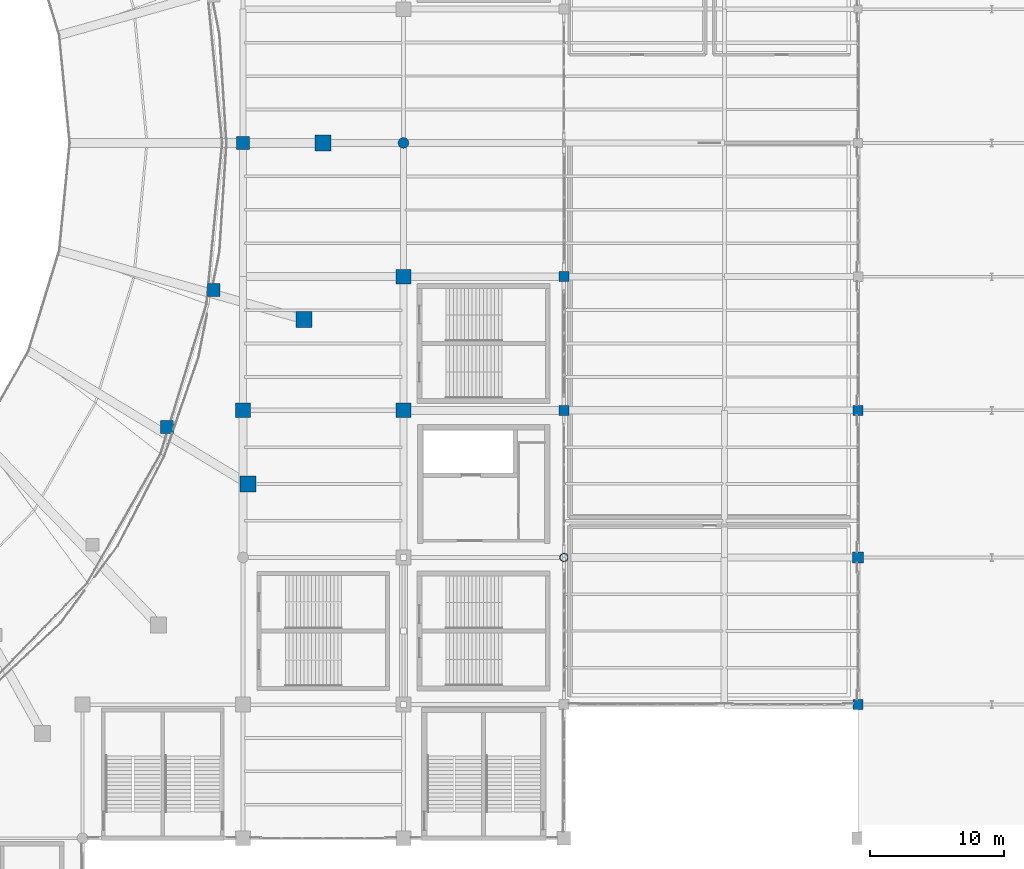
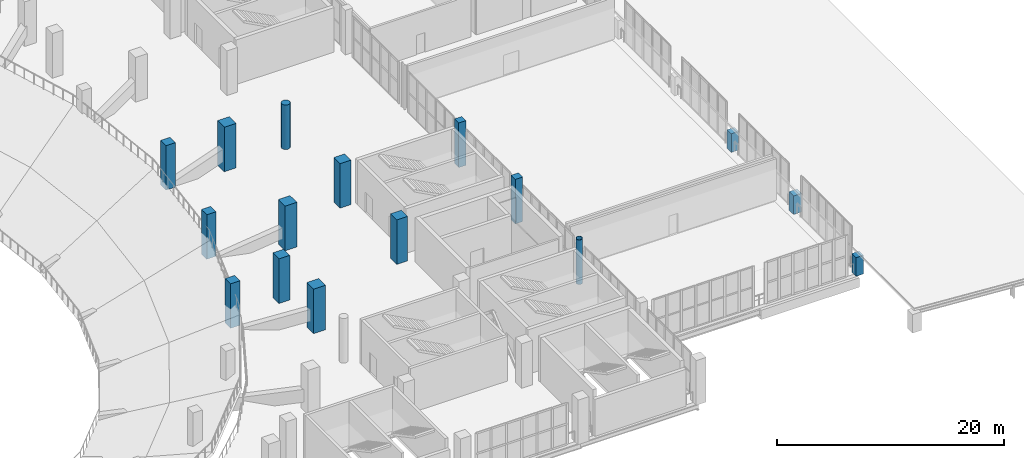
# One storey, part 8 of 136: 16 columns.
"""IFC4 building model written with IfcOpenShell, lengths in metres."""

from ifc_helpers import new_model, si_unit, direction, frame, origin, origin_2d, place, context, subcontext, project, spatial, rectangle, circle, hollow_circle, extrude, material, material_profile, profile_set, type_object, element, save


model = new_model("IFC4")

# Units and contexts
model_context = context("Model", 3, precision=1e-05, world=origin(), true_north=direction((0.0, 1.0)))
body_context = subcontext(model_context, "Body", "Model", "MODEL_VIEW")
ifc_project = project(units=[si_unit("LENGTHUNIT", "METRE"), si_unit("AREAUNIT", "SQUARE_METRE"), si_unit("VOLUMEUNIT", "CUBIC_METRE"), si_unit("PLANEANGLEUNIT", "RADIAN"), si_unit("MASSUNIT", "GRAM", prefix="KILO")], contexts=[model_context])

# Site, building, storey
site_placement = place(None, origin())
site = spatial("IfcSite", under=ifc_project, at=site_placement, CompositionType="ELEMENT")
building_placement = place(site_placement, origin())
building = spatial("IfcBuilding", under=site, at=building_placement, Name="Brinegate Civic Arena", CompositionType="ELEMENT")
storey_placement = place(building_placement, frame((0.0, 0.0, 5.39990234375)))
storey = spatial("IfcBuildingStorey", under=building, at=storey_placement, Name="L01", CompositionType="ELEMENT", Elevation=5.39990234375)

# Columns
ifc_material_1 = material(Name="Concrete C50/60", Category="concrete")
ifc_material_profile_1 = material_profile(ifc_material_1, rectangle(XDim=1.199951171875, YDim=1.199951171875, at=origin_2d()), Name="RC1200X1200")
ifc_profile_set_1 = profile_set([ifc_material_profile_1], Name="Concrete C50/60")
column_type_1 = type_object("IfcColumnType", Name="COL-CC01-1200", PredefinedType="COLUMN", material=ifc_profile_set_1)
for number, where, z_axis, x_axis, name in (
    (1, (150.0, 62.0, 0.0), (0.0, 0.0, 1.0), (1.0, 0.0, 0.0), "Bowl Raker Column OUT-01-L01"),
    (2, (144.373046875, 36.5, 0.0), (0.0, 0.0, 1.0), (1.0, 0.0, 0.0), "Bowl Raker Column OUT-23-L01"),
    (3, (148.569091796875, 48.800048828125, 0.0), (0.0, 0.0, 1.0), (1.0, 0.0, 0.0), "Bowl Raker Column OUT-24-L01"),
):
    element("IfcColumn", number, at=place(storey_placement, frame(where, z_axis=z_axis, x_axis=x_axis)), inside=storey, type_object=column_type_1, Name=name, PredefinedType="COLUMN", context=body_context, shape_type="SweptSolid", body=[
        extrude(rectangle(XDim=1.199951171875, YDim=1.199951171875, at=origin_2d()), origin(), (0.0, 0.0, 1.0), 4.800048828125),
    ])
ifc_material_profile_2 = material_profile(ifc_material_1, rectangle(XDim=1.10009765625, YDim=1.10009765625, at=origin_2d()), Name="RC1100X1100")
ifc_profile_set_2 = profile_set([ifc_material_profile_2], Name="Concrete C50/60")
column_type_2 = type_object("IfcColumnType", Name="COL-CC02-1100", PredefinedType="COLUMN", material=ifc_profile_set_2)
for number, where, z_axis, x_axis, name in (
    (4, (144.0, 42.0, 0.0), (0.0, 0.0, 1.0), (1.0, 0.0, 0.0), "Column COL-L01-13-E"),
    (5, (156.0, 42.0, 0.0), (0.0, 0.0, 1.0), (1.0, 0.0, 0.0), "Column COL-L01-14-E"),
    (6, (156.0, 52.0, 0.0), (0.0, 0.0, 1.0), (1.0, 0.0, 0.0), "Column COL-L01-14-F"),
):
    element("IfcColumn", number, at=place(storey_placement, frame(where, z_axis=z_axis, x_axis=x_axis)), inside=storey, type_object=column_type_2, Name=name, PredefinedType="COLUMN", context=body_context, shape_type="SweptSolid", body=[
        extrude(rectangle(XDim=1.10009765625, YDim=1.10009765625, at=origin_2d()), origin(), (0.0, 0.0, 1.0), 4.800048828125),
    ])
ifc_material_profile_3 = material_profile(ifc_material_1, rectangle(XDim=0.949951171875, YDim=0.949951171875, at=origin_2d()), Name="RC950X950")
ifc_profile_set_3 = profile_set([ifc_material_profile_3], Name="Concrete C50/60")
column_type_3 = type_object("IfcColumnType", Name="COL-CC04-950", PredefinedType="COLUMN", material=ifc_profile_set_3)
for number, where, z_axis, x_axis, name in (
    (7, (144.0, 62.0, 0.0), (0.0, 0.0, 1.0), (1.0, 0.0, 0.0), "Upper Raker Inner Column UIN-01-L01"),
    (8, (138.31103515625, 40.75, 0.0), (0.0, 0.0, 1.0), (1.0, 0.0, 0.0), "Upper Raker Inner Column UIN-23-L01"),
    (9, (141.806884765625, 51.0, 0.0), (0.0, 0.0, 1.0), (1.0, 0.0, 0.0), "Upper Raker Inner Column UIN-24-L01"),
):
    element("IfcColumn", number, at=place(storey_placement, frame(where, z_axis=z_axis, x_axis=x_axis)), inside=storey, type_object=column_type_3, Name=name, PredefinedType="COLUMN", context=body_context, shape_type="SweptSolid", body=[
        extrude(rectangle(XDim=0.949951171875, YDim=0.949951171875, at=origin_2d()), origin(), (0.0, 0.0, 1.0), 4.800048828125),
    ])
ifc_material_profile_4 = material_profile(ifc_material_1, rectangle(XDim=0.800048828125, YDim=0.800048828125, at=origin_2d()), Name="RC800X800")
ifc_profile_set_4 = profile_set([ifc_material_profile_4], Name="Concrete C50/60")
column_type_4 = type_object("IfcColumnType", Name="COL-CC07-800", PredefinedType="COLUMN", material=ifc_profile_set_4)
column_1_placement = place(storey_placement, frame((190.0, 31.0, 0.0), z_axis=(0.0, 0.0, 1.0), x_axis=(1.0, 0.0, 0.0)))
element("IfcColumn", 10, at=column_1_placement, inside=storey, type_object=column_type_4, Name="Column COL-L01-17-D", PredefinedType="COLUMN", context=body_context, shape_type="SweptSolid", body=[
    extrude(rectangle(XDim=0.800048828125, YDim=0.800048828125, at=origin_2d()), origin(), (0.0, 0.0, 1.0), 2.0),
])
ifc_material_profile_5 = material_profile(ifc_material_1, rectangle(XDim=0.75, YDim=0.75, at=origin_2d()), Name="RC750X750")
ifc_profile_set_5 = profile_set([ifc_material_profile_5], Name="Concrete C50/60")
column_type_5 = type_object("IfcColumnType", Name="COL-CC08-750", PredefinedType="COLUMN", material=ifc_profile_set_5)
for number, where, z_axis, x_axis, name in (
    (11, (168.0, 42.0, 0.0), (0.0, 0.0, 1.0), (1.0, 0.0, 0.0), "Column COL-L01-15-E"),
    (12, (168.0, 52.0, 0.0), (0.0, 0.0, 1.0), (1.0, 0.0, 0.0), "Column COL-L01-15-F"),
):
    element("IfcColumn", number, at=place(storey_placement, frame(where, z_axis=z_axis, x_axis=x_axis)), inside=storey, type_object=column_type_5, Name=name, PredefinedType="COLUMN", context=body_context, shape_type="SweptSolid", body=[
        extrude(rectangle(XDim=0.75, YDim=0.75, at=origin_2d()), origin(), (0.0, 0.0, 1.0), 4.800048828125),
    ])
for number, where, z_axis, x_axis, name in (
    (13, (190.0, 20.0, 0.0), (0.0, 0.0, 1.0), (1.0, 0.0, 0.0), "Column COL-L01-17-C"),
    (14, (190.0, 42.0, 0.0), (0.0, 0.0, 1.0), (1.0, 0.0, 0.0), "Column COL-L01-17-E"),
):
    element("IfcColumn", number, at=place(storey_placement, frame(where, z_axis=z_axis, x_axis=x_axis)), inside=storey, type_object=column_type_5, Name=name, PredefinedType="COLUMN", context=body_context, shape_type="SweptSolid", body=[
        extrude(rectangle(XDim=0.75, YDim=0.75, at=origin_2d()), origin(), (0.0, 0.0, 1.0), 2.0),
    ])
ifc_material_profile_6 = material_profile(ifc_material_1, circle(Radius=0.39990234375, at=origin_2d()), Name="RCD800")
ifc_profile_set_6 = profile_set([ifc_material_profile_6], Name="Concrete C50/60")
column_type_6 = type_object("IfcColumnType", Name="COL-CC13-D800", PredefinedType="COLUMN", material=ifc_profile_set_6)
column_2_placement = place(storey_placement, frame((156.0, 62.0, 0.0), z_axis=(0.0, 0.0, 1.0), x_axis=(1.0, 0.0, 0.0)))
element("IfcColumn", 15, at=column_2_placement, inside=storey, type_object=column_type_6, Name="Column COL-L01-14-G", PredefinedType="COLUMN", context=body_context, shape_type="SweptSolid", body=[
    extrude(circle(Radius=0.39990234375, at=origin_2d()), origin(), (0.0, 0.0, 1.0), 4.800048828125),
])
ifc_material_2 = material(Name="Steel S355", Category="steel")
ifc_material_profile_7 = material_profile(ifc_material_2, hollow_circle(Radius=0.304931640625, WallThickness=0.02490234375, at=origin_2d()), Name="CHS610X25")
ifc_profile_set_7 = profile_set([ifc_material_profile_7], Name="Steel S355")
column_type_7 = type_object("IfcColumnType", Name="COL-SC05-CHS610", PredefinedType="COLUMN", material=ifc_profile_set_7)
column_3_placement = place(storey_placement, frame((168.0, 31.0, 0.0), z_axis=(0.0, 0.0, 1.0), x_axis=(1.0, 0.0, 0.0)))
element("IfcColumn", 16, at=column_3_placement, inside=storey, type_object=column_type_7, Name="Column COL-L01-15-D", PredefinedType="COLUMN", context=body_context, shape_type="SweptSolid", body=[
    extrude(hollow_circle(Radius=0.304931640625, WallThickness=0.02490234375, at=origin_2d()), origin(), (0.0, 0.0, 1.0), 4.800048828125),
])

save(model, "model.ifc")
